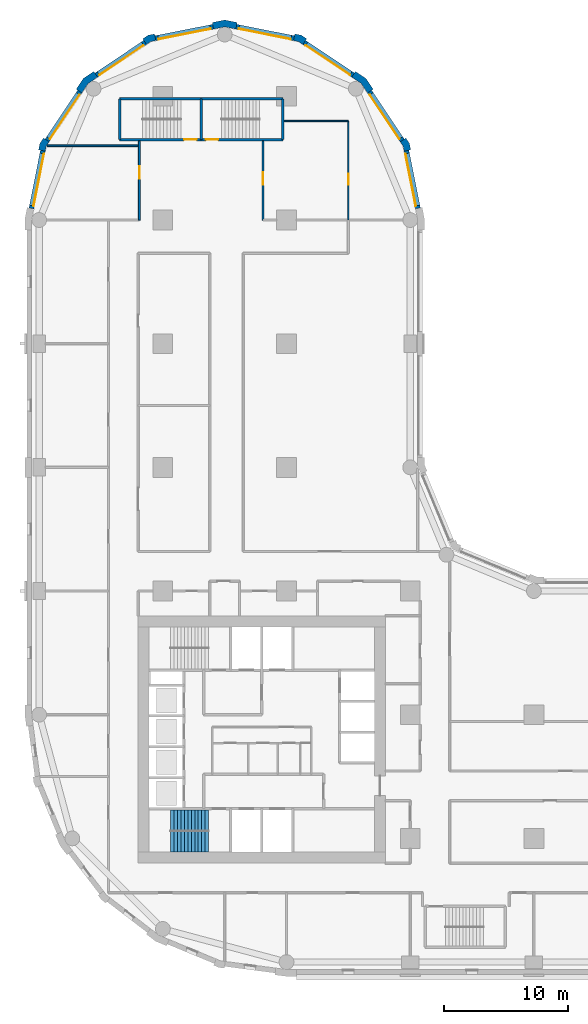
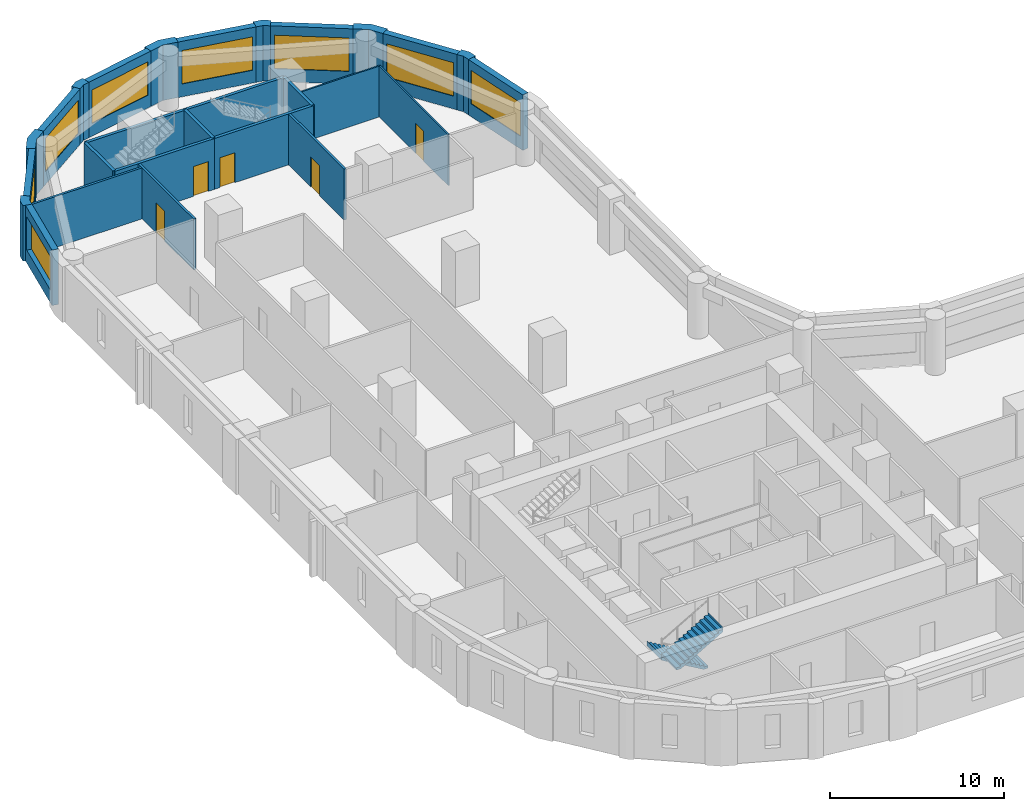
# One storey, part 8 of 11: 27 walls, 8 windows, 5 doors, 2 stair flights, 13 openings, 1 element without a shape of its own.
"""IFC4 building model written with IfcOpenShell, lengths in metres."""

import ifcopenshell
import ifcopenshell.guid

model = None  # the IFC model being written
_history = None  # IfcOwnerHistory: only IFC2X3 demands one
_inside = {}  # id of a spatial element -> (the spatial element, [elements in it])
_under = {}  # id of a project, library or spatial element -> (it, [spatial elements below it])
_declared = {}  # id of a project -> (the project, [libraries it declares])
_typed = {}  # id of a type object -> (the type object, [elements of that type])
_made_of = {}  # id of a material, layer set ... -> (it, [elements and type objects made of it])


def new_model(schema):
    """Start an empty IFC model of exactly this schema.

    Asked for "IFC4X3", IfcOpenShell would pick the latest addendum, in which some entities
    have other attributes; the version numbers below select the first issue.
    IFC2X3 requires an IfcOwnerHistory on every rooted entity: one is made here for all.
    """
    global model, _history
    if schema == "IFC4X3":
        model = ifcopenshell.file(schema_version=(4, 3, 0, 0))
    else:
        model = ifcopenshell.file(schema=schema)
    _inside.clear()
    _under.clear()
    _declared.clear()
    _typed.clear()
    _made_of.clear()
    _history = None
    if model.schema == "IFC2X3":
        org = make("IfcOrganization", Name="unknown")
        user = make(
            "IfcPersonAndOrganization",
            ThePerson=make("IfcPerson", FamilyName="unknown"),
            TheOrganization=org,
        )
        app = make(
            "IfcApplication",
            ApplicationDeveloper=org,
            Version="unknown",
            ApplicationFullName="unknown",
            ApplicationIdentifier="unknown",
        )
        _history = make(
            "IfcOwnerHistory",
            OwningUser=user,
            OwningApplication=app,
            ChangeAction="ADDED",
            CreationDate=0,
        )
    return model


def make(cls, **values):
    """One entity of the class cls with the attributes given. An attribute that is None is left unset."""
    return model.create_entity(
        cls, **{name: value for name, value in values.items() if value is not None}
    )


def rooted(cls, **values):
    """An entity with a GlobalId (a new one), such as an element, a storey or a relation."""
    return make(cls, GlobalId=ifcopenshell.guid.new(), OwnerHistory=_history, **values)


def si_unit(unit_type, name, prefix=None):
    """IfcSIUnit, for example si_unit("LENGTHUNIT", "METRE", prefix="MILLI")."""
    return make("IfcSIUnit", UnitType=unit_type, Prefix=prefix, Name=name)


def assignment(units):
    """IfcUnitAssignment: the units of a project."""
    return None if units is None else make("IfcUnitAssignment", Units=units)


def point(xyz):
    """IfcCartesianPoint."""
    return None if xyz is None else make("IfcCartesianPoint", Coordinates=xyz)


def direction(xyz):
    """IfcDirection."""
    return None if xyz is None else make("IfcDirection", DirectionRatios=xyz)


def frame(location, z_axis=None, x_axis=None):
    """IfcAxis2Placement3D, a coordinate frame: its origin and axes. An axis left out is left unset."""
    return make(
        "IfcAxis2Placement3D",
        Location=point(location),
        Axis=direction(z_axis),
        RefDirection=direction(x_axis),
    )


def frame_2d(location, x_axis=None):
    """IfcAxis2Placement2D, a coordinate frame in the plane: its origin and x axis."""
    return make(
        "IfcAxis2Placement2D", Location=point(location), RefDirection=direction(x_axis)
    )


def origin():
    """The frame at (0, 0, 0) with its axes left unset."""
    return frame((0.0, 0.0, 0.0))


def place(relative_to, where):
    """IfcLocalPlacement: puts the frame where relative to a parent placement (None: the world)."""
    return make(
        "IfcLocalPlacement", PlacementRelTo=relative_to, RelativePlacement=where
    )


def context(
    kind, dimensions, precision=None, world=None, true_north=None, identifier=None
):
    """IfcGeometricRepresentationContext, for example the 3D "Model" context."""
    return make(
        "IfcGeometricRepresentationContext",
        ContextIdentifier=identifier,
        ContextType=kind,
        CoordinateSpaceDimension=dimensions,
        Precision=precision,
        WorldCoordinateSystem=world,
        TrueNorth=true_north,
    )


def subcontext(parent, identifier, kind, view, scale=None):
    """IfcGeometricRepresentationSubContext, for example "Body" below "Model"."""
    return make(
        "IfcGeometricRepresentationSubContext",
        ContextIdentifier=identifier,
        ContextType=kind,
        ParentContext=parent,
        TargetScale=scale,
        TargetView=view,
    )


def project(units=None, contexts=None):
    """IfcProject with its units and contexts."""
    return rooted(
        "IfcProject",
        Name="project",
        RepresentationContexts=contexts,
        UnitsInContext=assignment(units),
    )


def spatial(cls, under=None, at=None, **own):
    """A site, building, storey or space (cls), placed at a placement, below another one or the project."""
    s = rooted(cls, ObjectPlacement=at, **own)
    if under is not None:
        _under.setdefault(under.id(), (under, []))[1].append(s)
    return s


def polyline(points):
    """IfcPolyline through the points."""
    return make("IfcPolyline", Points=[point(p) for p in points])


def profile(cls, at=None, kind="AREA", **sizes):
    """A parametric profile (cls). Its sizes go by their IFC names, for example OverallWidth=200.0."""
    return make(cls, ProfileType=kind, Position=at, **sizes)


def rectangle(**sizes):
    """IfcRectangleProfileDef."""
    return profile("IfcRectangleProfileDef", **sizes)


def outline(outer, holes=None, kind="AREA"):
    """IfcArbitraryClosedProfileDef: a profile drawn as a closed curve; with holes, ...WithVoids."""
    if holes is None:
        return make("IfcArbitraryClosedProfileDef", ProfileType=kind, OuterCurve=outer)
    return make(
        "IfcArbitraryProfileDefWithVoids",
        ProfileType=kind,
        OuterCurve=outer,
        InnerCurves=holes,
    )


def extrude(swept, where, along, depth):
    """IfcExtrudedAreaSolid: the profile swept, set in the frame where, extruded along a direction by depth."""
    return make(
        "IfcExtrudedAreaSolid",
        SweptArea=swept,
        Position=where,
        ExtrudedDirection=direction(along),
        Depth=depth,
    )


def shape(context_of_items, identifier, shape_type, items):
    """IfcShapeRepresentation: the items that make up one representation, for example the "Body"."""
    return make(
        "IfcShapeRepresentation",
        ContextOfItems=context_of_items,
        RepresentationIdentifier=identifier,
        RepresentationType=shape_type,
        Items=items,
    )


def material(Name=None, Category=None):
    """IfcMaterial."""
    return make("IfcMaterial", Name=Name, Category=Category)


def layer(
    of_material, thickness, ventilated=None, Name=None, Category=None, Priority=None
):
    """IfcMaterialLayer: one layer of a wall or slab, of a material (None: an air gap)."""
    return make(
        "IfcMaterialLayer",
        Material=of_material,
        LayerThickness=thickness,
        IsVentilated=ventilated,
        Name=Name,
        Category=Category,
        Priority=Priority,
    )


def layer_set(layers, Name=None):
    """IfcMaterialLayerSet."""
    return make("IfcMaterialLayerSet", MaterialLayers=layers, LayerSetName=Name)


def made_of(thing, what):
    """Note that an element or type object is made of a material, layer set ...; save() writes the relation."""
    if what is not None:
        _made_of.setdefault(what.id(), (what, []))[1].append(thing)
    return thing


def type_object(cls, material=None, **own):
    """A type object (cls), such as IfcWallType, which elements share."""
    return made_of(rooted(cls, **own), material)


def element(
    cls,
    number,
    at=None,
    inside=None,
    cuts=None,
    type_object=None,
    material=None,
    context=None,
    identifier="Body",
    shape_type=None,
    held_by="IfcProductDefinitionShape",
    body=None,
    shapes=None,
    **own,
):
    """One element of the class cls, such as IfcWall. Its Tag is "e" and its number.

    at: its placement. inside: the storey or other place that contains it. cuts: it is an
    opening in that element (IfcRelVoidsElement). A single representation is given by context,
    identifier, shape_type and body (its items); several are given by shapes. held_by: the class
    of the entity that holds the representations. save() writes the other relations.
    """
    e = rooted(cls, Tag="e%d" % number, ObjectPlacement=at, **own)
    if body is not None:
        shapes = [shape(context, identifier, shape_type, body)]
    if shapes is not None:
        e.Representation = make(held_by, Representations=shapes)
    if inside is not None:
        _inside.setdefault(inside.id(), (inside, []))[1].append(e)
    if cuts is not None:
        rooted(
            "IfcRelVoidsElement", RelatingBuildingElement=cuts, RelatedOpeningElement=e
        )
    if type_object is not None:
        _typed.setdefault(type_object.id(), (type_object, []))[1].append(e)
    return made_of(e, material)


def fill(opening, filler):
    """IfcRelFillsElement: the door or window that sits in an opening."""
    return rooted(
        "IfcRelFillsElement",
        RelatingOpeningElement=opening,
        RelatedBuildingElement=filler,
    )


def aggregate(whole, parts):
    """IfcRelAggregates: a whole, such as a stair, and the parts it consists of."""
    return rooted("IfcRelAggregates", RelatingObject=whole, RelatedObjects=parts)


def save(model, path):
    """Write the relations noted so far, then the file.

    IfcRelAggregates (storeys below a building ...), IfcRelContainedInSpatialStructure (elements
    in a storey), IfcRelDefinesByType, IfcRelAssociatesMaterial and IfcRelDeclares: one each for
    every whole, place, type object, material and project.
    """
    for whole, parts in _under.values():
        aggregate(whole, parts)
    for where, things in _inside.values():
        rooted(
            "IfcRelContainedInSpatialStructure",
            RelatedElements=things,
            RelatingStructure=where,
        )
    for kind, things in _typed.values():
        rooted("IfcRelDefinesByType", RelatedObjects=things, RelatingType=kind)
    for what, things in _made_of.values():
        rooted("IfcRelAssociatesMaterial", RelatedObjects=things, RelatingMaterial=what)
    for by, libraries in _declared.values():
        rooted("IfcRelDeclares", RelatingContext=by, RelatedDefinitions=libraries)
    model.write(path)


model = new_model("IFC4")

# Units and contexts
model_context = context("Model", 3, precision=1e-05, world=origin(), true_north=direction((0.0, 1.0)))
body_context = subcontext(model_context, "Body", "Model", "MODEL_VIEW")
ifc_project = project(units=[si_unit("LENGTHUNIT", "METRE"), si_unit("AREAUNIT", "SQUARE_METRE"), si_unit("VOLUMEUNIT", "CUBIC_METRE"), si_unit("PLANEANGLEUNIT", "RADIAN"), si_unit("MASSUNIT", "GRAM", prefix="KILO")], contexts=[model_context])

# Site, building, storey
site_placement = place(None, origin())
site = spatial("IfcSite", under=ifc_project, at=site_placement, CompositionType="ELEMENT")
building_placement = place(site_placement, origin())
building = spatial("IfcBuilding", under=site, at=building_placement, Name="Qaws Garden Tower", CompositionType="ELEMENT")
storey_placement = place(building_placement, frame((0.0, 0.0, 27.60009765625)))
storey = spatial("IfcBuildingStorey", under=building, at=storey_placement, Name="L06", CompositionType="ELEMENT", Elevation=27.60009765625)

# Wall, opening, window
ifc_material_1 = material(Name="Clay facing brick masonry", Category="masonry")
ifc_layer_1 = layer(ifc_material_1, 0.39990234375)
ifc_layer_set_1 = layer_set([ifc_layer_1], Name="Clay facing brick masonry")
wall_type_1 = type_object("IfcWallType", Name="Brick infill wall 400", PredefinedType="SOLIDWALL", material=ifc_layer_set_1)
wall_1_placement = place(storey_placement, frame((30.628662109375, 60.940673828125, 0.0), z_axis=(0.0, 0.0, 1.0), x_axis=(-0.195098533057, 0.98078364709, 0.0)))
wall_1 = element("IfcWall", 1, at=wall_1_placement, inside=storey, type_object=wall_type_1, Name="E-L06-infill-15", PredefinedType="SOLIDWALL", context=body_context, shape_type="SweptSolid", body=[
    extrude(rectangle(XDim=4.752685546875, YDim=0.39990234375, at=frame_2d((2.37646484375, 0.0))), origin(), (0.0, 0.0, 1.0), 3.89990234375),
])
opening_1_placement = place(wall_1_placement, frame((0.226318359375, 0.0, 0.89990234375)))
opening_1 = element("IfcOpeningElement", 2, at=opening_1_placement, cuts=wall_1, Name="Opening W06", PredefinedType="OPENING", context=body_context, shape_type="SweptSolid", body=[
    extrude(rectangle(XDim=4.300048828125, YDim=2.35009765625, at=frame_2d((2.14990234375, 1.175048828125))), frame((0.0, 0.2099609375, 0.0), z_axis=(0.0, -1.0, 0.0), x_axis=(1.0, 0.0, 0.0)), (0.0, 0.0, 1.0), 0.419921875),
])
ifc_material_2 = material(Name="Aluminium framed window, clear glazing", Category="aluminium")
window_type = type_object("IfcWindowType", Name="Ribbon window 4300 x 2350", PartitioningType="DOUBLE_PANEL_VERTICAL", PredefinedType="WINDOW", material=ifc_material_2)
window_1_placement = place(opening_1_placement, origin())
window_1 = element("IfcWindow", 3, at=window_1_placement, inside=storey, type_object=window_type, Name="E-L06-window-15-0", OverallHeight=2.35009765625, OverallWidth=4.300048828125, PartitioningType="SINGLE_PANEL", PredefinedType="WINDOW", context=body_context, shape_type="SweptSolid", body=[
    extrude(rectangle(XDim=4.300048828125, YDim=2.35009765625, at=frame_2d((2.14990234375, 1.175048828125))), frame((0.0, 0.159912109375, 0.0), z_axis=(0.0, -1.0, 0.0), x_axis=(1.0, 0.0, 0.0)), (0.0, 0.0, 1.0), 0.06005859375),
])
fill(opening_1, window_1)

wall_2_placement = place(storey_placement, frame((29.356689453125, 66.43408203125, 0.0), z_axis=(0.0, 0.0, 1.0), x_axis=(-0.555541552266, 0.831488775454, 0.0)))
wall_2 = element("IfcWall", 4, at=wall_2_placement, inside=storey, type_object=wall_type_1, Name="E-L06-infill-16", PredefinedType="SOLIDWALL", context=body_context, shape_type="SweptSolid", body=[
    extrude(rectangle(XDim=4.752685546875, YDim=0.39990234375, at=frame_2d((2.37646484375, 0.0))), origin(), (0.0, 0.0, 1.0), 3.89990234375),
])
opening_2_placement = place(wall_2_placement, frame((0.226318359375, 0.0, 0.89990234375)))
opening_2 = element("IfcOpeningElement", 5, at=opening_2_placement, cuts=wall_2, Name="Opening W06", PredefinedType="OPENING", context=body_context, shape_type="SweptSolid", body=[
    extrude(rectangle(XDim=4.300048828125, YDim=2.35009765625, at=frame_2d((2.14990234375, 1.175048828125))), frame((0.0, 0.2099609375, 0.0), z_axis=(0.0, -1.0, 0.0), x_axis=(1.0, 0.0, 0.0)), (0.0, 0.0, 1.0), 0.419921875),
])
window_2_placement = place(opening_2_placement, origin())
window_2 = element("IfcWindow", 6, at=window_2_placement, inside=storey, type_object=window_type, Name="E-L06-window-16-0", OverallHeight=2.35009765625, OverallWidth=4.300048828125, PartitioningType="SINGLE_PANEL", PredefinedType="WINDOW", context=body_context, shape_type="SweptSolid", body=[
    extrude(rectangle(XDim=4.300048828125, YDim=2.35009765625, at=frame_2d((2.14990234375, 1.175048828125))), frame((0.0, 0.159912109375, 0.0), z_axis=(0.0, -1.0, 0.0), x_axis=(1.0, 0.0, 0.0)), (0.0, 0.0, 1.0), 0.06005859375),
])
fill(opening_2, window_2)

wall_3_placement = place(storey_placement, frame((25.385986328125, 71.71630859375, 0.0), z_axis=(0.0, 0.0, 1.0), x_axis=(-0.831488775454, 0.555541552266, 0.0)))
wall_3 = element("IfcWall", 7, at=wall_3_placement, inside=storey, type_object=wall_type_1, Name="E-L06-infill-17", PredefinedType="SOLIDWALL", context=body_context, shape_type="SweptSolid", body=[
    extrude(rectangle(XDim=4.752685546875, YDim=0.39990234375, at=frame_2d((2.37646484375, 0.0))), origin(), (0.0, 0.0, 1.0), 3.89990234375),
])
opening_3_placement = place(wall_3_placement, frame((0.226318359375, 0.0, 0.89990234375)))
opening_3 = element("IfcOpeningElement", 8, at=opening_3_placement, cuts=wall_3, Name="Opening W06", PredefinedType="OPENING", context=body_context, shape_type="SweptSolid", body=[
    extrude(rectangle(XDim=4.300048828125, YDim=2.35009765625, at=frame_2d((2.14990234375, 1.175048828125))), frame((0.0, 0.2099609375, 0.0), z_axis=(0.0, -1.0, 0.0), x_axis=(1.0, 0.0, 0.0)), (0.0, 0.0, 1.0), 0.419921875),
])
window_3_placement = place(opening_3_placement, origin())
window_3 = element("IfcWindow", 9, at=window_3_placement, inside=storey, type_object=window_type, Name="E-L06-window-17-0", OverallHeight=2.35009765625, OverallWidth=4.300048828125, PartitioningType="SINGLE_PANEL", PredefinedType="WINDOW", context=body_context, shape_type="SweptSolid", body=[
    extrude(rectangle(XDim=4.300048828125, YDim=2.35009765625, at=frame_2d((2.14990234375, 1.175048828125))), frame((0.0, 0.159912109375, 0.0), z_axis=(0.0, -1.0, 0.0), x_axis=(1.0, 0.0, 0.0)), (0.0, 0.0, 1.0), 0.06005859375),
])
fill(opening_3, window_3)

wall_4_placement = place(storey_placement, frame((20.60205078125, 74.701416015625, 0.0), z_axis=(0.0, 0.0, 1.0), x_axis=(-0.98078364709, 0.195098533057, 0.0)))
wall_4 = element("IfcWall", 10, at=wall_4_placement, inside=storey, type_object=wall_type_1, Name="E-L06-infill-18", PredefinedType="SOLIDWALL", context=body_context, shape_type="SweptSolid", body=[
    extrude(rectangle(XDim=4.752685546875, YDim=0.39990234375, at=frame_2d((2.37646484375, 0.0))), origin(), (0.0, 0.0, 1.0), 3.89990234375),
])
opening_4_placement = place(wall_4_placement, frame((0.226318359375, 0.0, 0.89990234375)))
opening_4 = element("IfcOpeningElement", 11, at=opening_4_placement, cuts=wall_4, Name="Opening W06", PredefinedType="OPENING", context=body_context, shape_type="SweptSolid", body=[
    extrude(rectangle(XDim=4.300048828125, YDim=2.35009765625, at=frame_2d((2.14990234375, 1.175048828125))), frame((0.0, 0.2099609375, 0.0), z_axis=(0.0, -1.0, 0.0), x_axis=(1.0, 0.0, 0.0)), (0.0, 0.0, 1.0), 0.419921875),
])
window_4_placement = place(opening_4_placement, origin())
window_4 = element("IfcWindow", 12, at=window_4_placement, inside=storey, type_object=window_type, Name="E-L06-window-18-0", OverallHeight=2.35009765625, OverallWidth=4.300048828125, PartitioningType="SINGLE_PANEL", PredefinedType="WINDOW", context=body_context, shape_type="SweptSolid", body=[
    extrude(rectangle(XDim=4.300048828125, YDim=2.35009765625, at=frame_2d((2.14990234375, 1.175048828125))), frame((0.0, 0.159912109375, 0.0), z_axis=(0.0, -1.0, 0.0), x_axis=(1.0, 0.0, 0.0)), (0.0, 0.0, 1.0), 0.06005859375),
])
fill(opening_4, window_4)

wall_5_placement = place(storey_placement, frame((14.059326171875, 75.628662109375, 0.0), z_axis=(0.0, 0.0, 1.0), x_axis=(-0.98078364709, -0.195098533057, 0.0)))
wall_5 = element("IfcWall", 13, at=wall_5_placement, inside=storey, type_object=wall_type_1, Name="E-L06-infill-19", PredefinedType="SOLIDWALL", context=body_context, shape_type="SweptSolid", body=[
    extrude(rectangle(XDim=4.752685546875, YDim=0.39990234375, at=frame_2d((2.37646484375, 0.0))), origin(), (0.0, 0.0, 1.0), 3.89990234375),
])
opening_5_placement = place(wall_5_placement, frame((0.226318359375, 0.0, 0.89990234375)))
opening_5 = element("IfcOpeningElement", 14, at=opening_5_placement, cuts=wall_5, Name="Opening W06", PredefinedType="OPENING", context=body_context, shape_type="SweptSolid", body=[
    extrude(rectangle(XDim=4.300048828125, YDim=2.35009765625, at=frame_2d((2.14990234375, 1.175048828125))), frame((0.0, 0.2099609375, 0.0), z_axis=(0.0, -1.0, 0.0), x_axis=(1.0, 0.0, 0.0)), (0.0, 0.0, 1.0), 0.419921875),
])
window_5_placement = place(opening_5_placement, origin())
window_5 = element("IfcWindow", 15, at=window_5_placement, inside=storey, type_object=window_type, Name="E-L06-window-19-0", OverallHeight=2.35009765625, OverallWidth=4.300048828125, PartitioningType="SINGLE_PANEL", PredefinedType="WINDOW", context=body_context, shape_type="SweptSolid", body=[
    extrude(rectangle(XDim=4.300048828125, YDim=2.35009765625, at=frame_2d((2.14990234375, 1.175048828125))), frame((0.0, 0.159912109375, 0.0), z_axis=(0.0, -1.0, 0.0), x_axis=(1.0, 0.0, 0.0)), (0.0, 0.0, 1.0), 0.06005859375),
])
fill(opening_5, window_5)

wall_6_placement = place(storey_placement, frame((8.56591796875, 74.356689453125, 0.0), z_axis=(0.0, 0.0, 1.0), x_axis=(-0.831488775454, -0.555541552266, 0.0)))
wall_6 = element("IfcWall", 16, at=wall_6_placement, inside=storey, type_object=wall_type_1, Name="E-L06-infill-20", PredefinedType="SOLIDWALL", context=body_context, shape_type="SweptSolid", body=[
    extrude(rectangle(XDim=4.752685546875, YDim=0.39990234375, at=frame_2d((2.37646484375, 0.0))), origin(), (0.0, 0.0, 1.0), 3.89990234375),
])
opening_6_placement = place(wall_6_placement, frame((0.226318359375, 0.0, 0.89990234375)))
opening_6 = element("IfcOpeningElement", 17, at=opening_6_placement, cuts=wall_6, Name="Opening W06", PredefinedType="OPENING", context=body_context, shape_type="SweptSolid", body=[
    extrude(rectangle(XDim=4.300048828125, YDim=2.35009765625, at=frame_2d((2.14990234375, 1.175048828125))), frame((0.0, 0.2099609375, 0.0), z_axis=(0.0, -1.0, 0.0), x_axis=(1.0, 0.0, 0.0)), (0.0, 0.0, 1.0), 0.419921875),
])
window_6_placement = place(opening_6_placement, origin())
window_6 = element("IfcWindow", 18, at=window_6_placement, inside=storey, type_object=window_type, Name="E-L06-window-20-0", OverallHeight=2.35009765625, OverallWidth=4.300048828125, PartitioningType="SINGLE_PANEL", PredefinedType="WINDOW", context=body_context, shape_type="SweptSolid", body=[
    extrude(rectangle(XDim=4.300048828125, YDim=2.35009765625, at=frame_2d((2.14990234375, 1.175048828125))), frame((0.0, 0.159912109375, 0.0), z_axis=(0.0, -1.0, 0.0), x_axis=(1.0, 0.0, 0.0)), (0.0, 0.0, 1.0), 0.06005859375),
])
fill(opening_6, window_6)

wall_7_placement = place(storey_placement, frame((3.28369140625, 70.385986328125, 0.0), z_axis=(0.0, 0.0, 1.0), x_axis=(-0.555541552266, -0.831488775454, 0.0)))
wall_7 = element("IfcWall", 19, at=wall_7_placement, inside=storey, type_object=wall_type_1, Name="E-L06-infill-21", PredefinedType="SOLIDWALL", context=body_context, shape_type="SweptSolid", body=[
    extrude(rectangle(XDim=4.752685546875, YDim=0.39990234375, at=frame_2d((2.37646484375, 0.0))), origin(), (0.0, 0.0, 1.0), 3.89990234375),
])
opening_7_placement = place(wall_7_placement, frame((0.226318359375, 0.0, 0.89990234375)))
opening_7 = element("IfcOpeningElement", 20, at=opening_7_placement, cuts=wall_7, Name="Opening W06", PredefinedType="OPENING", context=body_context, shape_type="SweptSolid", body=[
    extrude(rectangle(XDim=4.300048828125, YDim=2.35009765625, at=frame_2d((2.14990234375, 1.175048828125))), frame((0.0, 0.2099609375, 0.0), z_axis=(0.0, -1.0, 0.0), x_axis=(1.0, 0.0, 0.0)), (0.0, 0.0, 1.0), 0.419921875),
])
window_7_placement = place(opening_7_placement, origin())
window_7 = element("IfcWindow", 21, at=window_7_placement, inside=storey, type_object=window_type, Name="E-L06-window-21-0", OverallHeight=2.35009765625, OverallWidth=4.300048828125, PartitioningType="SINGLE_PANEL", PredefinedType="WINDOW", context=body_context, shape_type="SweptSolid", body=[
    extrude(rectangle(XDim=4.300048828125, YDim=2.35009765625, at=frame_2d((2.14990234375, 1.175048828125))), frame((0.0, 0.159912109375, 0.0), z_axis=(0.0, -1.0, 0.0), x_axis=(1.0, 0.0, 0.0)), (0.0, 0.0, 1.0), 0.06005859375),
])
fill(opening_7, window_7)

wall_8_placement = place(storey_placement, frame((0.298583984375, 65.60205078125, 0.0), z_axis=(0.0, 0.0, 1.0), x_axis=(-0.195098533057, -0.98078364709, 0.0)))
wall_8 = element("IfcWall", 22, at=wall_8_placement, inside=storey, type_object=wall_type_1, Name="E-L06-infill-22", PredefinedType="SOLIDWALL", context=body_context, shape_type="SweptSolid", body=[
    extrude(rectangle(XDim=4.752685546875, YDim=0.39990234375, at=frame_2d((2.37646484375, 0.0))), origin(), (0.0, 0.0, 1.0), 3.89990234375),
])
opening_8_placement = place(wall_8_placement, frame((0.226318359375, 0.0, 0.89990234375)))
opening_8 = element("IfcOpeningElement", 23, at=opening_8_placement, cuts=wall_8, Name="Opening W06", PredefinedType="OPENING", context=body_context, shape_type="SweptSolid", body=[
    extrude(rectangle(XDim=4.300048828125, YDim=2.35009765625, at=frame_2d((2.14990234375, 1.175048828125))), frame((0.0, 0.2099609375, 0.0), z_axis=(0.0, -1.0, 0.0), x_axis=(1.0, 0.0, 0.0)), (0.0, 0.0, 1.0), 0.419921875),
])
window_8_placement = place(opening_8_placement, origin())
window_8 = element("IfcWindow", 24, at=window_8_placement, inside=storey, type_object=window_type, Name="E-L06-window-22-0", OverallHeight=2.35009765625, OverallWidth=4.300048828125, PartitioningType="SINGLE_PANEL", PredefinedType="WINDOW", context=body_context, shape_type="SweptSolid", body=[
    extrude(rectangle(XDim=4.300048828125, YDim=2.35009765625, at=frame_2d((2.14990234375, 1.175048828125))), frame((0.0, 0.159912109375, 0.0), z_axis=(0.0, -1.0, 0.0), x_axis=(1.0, 0.0, 0.0)), (0.0, 0.0, 1.0), 0.06005859375),
])
fill(opening_8, window_8)

# Walls
ifc_material_3 = material(Name="Clay facing brick masonry", Category="masonry")
ifc_layer_2 = layer(ifc_material_3, 0.550048828125)
ifc_layer_set_2 = layer_set([ifc_layer_2], Name="Clay facing brick masonry")
wall_type_2 = type_object("IfcWallType", Name="Brick kink pier 550 x 600", PredefinedType="SOLIDWALL", material=ifc_layer_set_2)
placement = place(storey_placement, origin())
element("IfcWall", 25, at=placement, inside=storey, type_object=wall_type_2, Name="E-L06-pier-16", PredefinedType="SOLIDWALL", context=body_context, shape_type="SweptSolid", body=[
    extrude(outline(polyline([(29.8974609375, 65.64111328125), (30.044677734375, 65.67041015625), (29.94140625, 66.18896484375), (29.647705078125, 66.628662109375), (29.52294921875, 66.545166015625), (29.1904296875, 66.322998046875), (29.42333984375, 65.974365234375), (29.505126953125, 65.56298828125), (29.8974609375, 65.64111328125)])), origin(), (0.0, 0.0, 1.0), 3.89990234375),
])
element("IfcWall", 26, at=placement, inside=storey, type_object=wall_type_2, Name="E-L06-pier-18", PredefinedType="SOLIDWALL", context=body_context, shape_type="SweptSolid", body=[
    extrude(outline(polyline([(21.545166015625, 74.52294921875), (21.628662109375, 74.647705078125), (21.18896484375, 74.94140625), (20.67041015625, 75.044677734375), (20.64111328125, 74.8974609375), (20.56298828125, 74.505126953125), (20.974365234375, 74.42333984375), (21.322998046875, 74.1904296875), (21.545166015625, 74.52294921875)])), origin(), (0.0, 0.0, 1.0), 3.89990234375),
])
element("IfcWall", 27, at=placement, inside=storey, type_object=wall_type_2, Name="E-L06-pier-20", PredefinedType="SOLIDWALL", context=body_context, shape_type="SweptSolid", body=[
    extrude(outline(polyline([(9.35888671875, 74.8974609375), (9.32958984375, 75.044677734375), (8.81103515625, 74.94140625), (8.371337890625, 74.647705078125), (8.454833984375, 74.52294921875), (8.677001953125, 74.1904296875), (9.025634765625, 74.42333984375), (9.43701171875, 74.505126953125), (9.35888671875, 74.8974609375)])), origin(), (0.0, 0.0, 1.0), 3.89990234375),
])
element("IfcWall", 28, at=placement, inside=storey, type_object=wall_type_2, Name="E-L06-pier-22", PredefinedType="SOLIDWALL", context=body_context, shape_type="SweptSolid", body=[
    extrude(outline(polyline([(0.47705078125, 66.545166015625), (0.352294921875, 66.628662109375), (0.05859375, 66.18896484375), (-0.044677734375, 65.67041015625), (0.1025390625, 65.64111328125), (0.494873046875, 65.56298828125), (0.57666015625, 65.974365234375), (0.8095703125, 66.322998046875), (0.47705078125, 66.545166015625)])), origin(), (0.0, 0.0, 1.0), 3.89990234375),
])
ifc_material_4 = material(Name="Clay facing brick masonry", Category="masonry")
ifc_layer_3 = layer(ifc_material_4, 0.550048828125)
ifc_layer_set_3 = layer_set([ifc_layer_3], Name="Clay facing brick masonry")
wall_type_3 = type_object("IfcWallType", Name="Brick pier 550 x 1600", PredefinedType="SOLIDWALL", material=ifc_layer_set_3)
element("IfcWall", 29, at=placement, inside=storey, type_object=wall_type_3, Name="E-L06-pier-17", PredefinedType="SOLIDWALL", context=body_context, shape_type="SweptSolid", body=[
    extrude(outline(polyline([(26.882568359375, 70.4970703125), (27.00732421875, 70.580322265625), (26.435791015625, 71.435791015625), (25.580322265625, 72.00732421875), (25.4970703125, 71.882568359375), (25.274658203125, 71.550048828125), (26.0390625, 71.0390625), (26.550048828125, 70.274658203125), (26.882568359375, 70.4970703125)])), origin(), (0.0, 0.0, 1.0), 3.89990234375),
])
element("IfcWall", 30, at=placement, inside=storey, type_object=wall_type_3, Name="E-L06-pier-19", PredefinedType="SOLIDWALL", context=body_context, shape_type="SweptSolid", body=[
    extrude(outline(polyline([(15.979736328125, 75.82470703125), (16.009033203125, 75.971923828125), (15.0, 76.172607421875), (13.990966796875, 75.971923828125), (14.020263671875, 75.82470703125), (14.098388671875, 75.432373046875), (15.0, 75.61181640625), (15.901611328125, 75.432373046875), (15.979736328125, 75.82470703125)])), origin(), (0.0, 0.0, 1.0), 3.89990234375),
])
element("IfcWall", 31, at=placement, inside=storey, type_object=wall_type_3, Name="E-L06-pier-21", PredefinedType="SOLIDWALL", context=body_context, shape_type="SweptSolid", body=[
    extrude(outline(polyline([(4.5029296875, 71.882568359375), (4.419677734375, 72.00732421875), (3.564208984375, 71.435791015625), (2.99267578125, 70.580322265625), (3.117431640625, 70.4970703125), (3.449951171875, 70.274658203125), (3.9609375, 71.0390625), (4.725341796875, 71.550048828125), (4.5029296875, 71.882568359375)])), origin(), (0.0, 0.0, 1.0), 3.89990234375),
])

# Wall, opening, door
ifc_material_5 = material(Name="Concrete C80", Category="concrete")
ifc_layer_4 = layer(ifc_material_5, 0.199951171875)
ifc_layer_set_4 = layer_set([ifc_layer_4], Name="Concrete C80")
wall_type_4 = type_object("IfcWallType", Name="Core shaft wall 200 C80", PredefinedType="SHEAR", material=ifc_layer_set_4)
wall_16_placement = place(storey_placement, frame((6.5, 66.5, 0.0), z_axis=(0.0, 0.0, 1.0), x_axis=(1.0, 0.0, 0.0)))
wall_16 = element("IfcWall", 32, at=wall_16_placement, inside=storey, type_object=wall_type_4, Name="Shaft wall", PredefinedType="SHEAR", context=body_context, shape_type="SweptSolid", body=[
    extrude(rectangle(XDim=6.60009765625, YDim=0.199951171875, at=frame_2d((3.300048828125, 0.0))), origin(), (0.0, 0.0, 1.0), 3.579833984375),
])
opening_9_placement = place(wall_16_placement, frame((5.22509765625, 0.0, 0.0)))
opening_9 = element("IfcOpeningElement", 33, at=opening_9_placement, cuts=wall_16, Name="Opening SD13", PredefinedType="OPENING", context=body_context, shape_type="SweptSolid", body=[
    extrude(rectangle(XDim=1.0, YDim=2.10009765625, at=frame_2d((0.5, 1.050048828125))), frame((0.0, 0.10986328125, 0.0), z_axis=(0.0, -1.0, 0.0), x_axis=(1.0, 0.0, 0.0)), (0.0, 0.0, 1.0), 0.219970703125),
])
ifc_material_6 = material(Name="Steel S235", Category="steel")
door_type_1 = type_object("IfcDoorType", Name="Stair door 1000x2100", OperationType="SINGLE_SWING_RIGHT", PredefinedType="DOOR", material=ifc_material_6)
door_1_placement = place(opening_9_placement, origin())
door_1 = element("IfcDoor", 34, at=door_1_placement, inside=storey, type_object=door_type_1, Name="Stair 6 door", OperationType="SINGLE_SWING_RIGHT", OverallHeight=2.10009765625, OverallWidth=1.0, PredefinedType="DOOR", context=body_context, shape_type="SweptSolid", body=[
    extrude(rectangle(XDim=1.0, YDim=2.10009765625, at=frame_2d((0.5, 1.050048828125))), frame((0.0, 0.02490234375, 0.0), z_axis=(0.0, -1.0, 0.0), x_axis=(1.0, 0.0, 0.0)), (0.0, 0.0, 1.0), 0.050048828125),
])
fill(opening_9, door_1)

wall_17_placement = place(storey_placement, frame((13.10009765625, 66.5, 0.0), z_axis=(0.0, 0.0, 1.0), x_axis=(1.0, 0.0, 0.0)))
wall_17 = element("IfcWall", 35, at=wall_17_placement, inside=storey, type_object=wall_type_4, Name="Shaft wall", PredefinedType="SHEAR", context=body_context, shape_type="SweptSolid", body=[
    extrude(rectangle(XDim=6.599853515625, YDim=0.199951171875, at=frame_2d((3.2998046875, 0.0))), origin(), (0.0, 0.0, 1.0), 3.579833984375),
])
opening_10_placement = place(wall_17_placement, frame((0.375, 0.0, 0.0)))
opening_10 = element("IfcOpeningElement", 36, at=opening_10_placement, cuts=wall_17, Name="Opening SD14", PredefinedType="OPENING", context=body_context, shape_type="SweptSolid", body=[
    extrude(rectangle(XDim=1.0, YDim=2.10009765625, at=frame_2d((0.5, 1.050048828125))), frame((0.0, 0.10986328125, 0.0), z_axis=(0.0, -1.0, 0.0), x_axis=(1.0, 0.0, 0.0)), (0.0, 0.0, 1.0), 0.219970703125),
])
door_2_placement = place(opening_10_placement, origin())
door_2 = element("IfcDoor", 37, at=door_2_placement, inside=storey, type_object=door_type_1, Name="Stair 7 door", OperationType="SINGLE_SWING_LEFT", OverallHeight=2.10009765625, OverallWidth=1.0, PredefinedType="DOOR", context=body_context, shape_type="SweptSolid", body=[
    extrude(rectangle(XDim=1.0, YDim=2.10009765625, at=frame_2d((0.5, 1.050048828125))), frame((0.0, 0.02490234375, 0.0), z_axis=(0.0, -1.0, 0.0), x_axis=(1.0, 0.0, 0.0)), (0.0, 0.0, 1.0), 0.050048828125),
])
fill(opening_10, door_2)

# Walls
wall_18_placement = place(storey_placement, frame((6.5, 69.800048828125, 0.0), z_axis=(0.0, 0.0, 1.0), x_axis=(1.0, 0.0, 0.0)))
element("IfcWall", 38, at=wall_18_placement, inside=storey, type_object=wall_type_4, Name="Shaft wall", PredefinedType="SHEAR", context=body_context, shape_type="SweptSolid", body=[
    extrude(rectangle(XDim=6.60009765625, YDim=0.199951171875, at=frame_2d((3.300048828125, 0.0))), origin(), (0.0, 0.0, 1.0), 3.579833984375),
])
wall_19_placement = place(storey_placement, frame((13.10009765625, 69.800048828125, 0.0), z_axis=(0.0, 0.0, 1.0), x_axis=(1.0, 0.0, 0.0)))
element("IfcWall", 39, at=wall_19_placement, inside=storey, type_object=wall_type_4, Name="Shaft wall", PredefinedType="SHEAR", context=body_context, shape_type="SweptSolid", body=[
    extrude(rectangle(XDim=6.599853515625, YDim=0.199951171875, at=frame_2d((3.2998046875, 0.0))), origin(), (0.0, 0.0, 1.0), 3.579833984375),
])
for number, where, z_axis, x_axis, name in (
    (40, (6.5, 66.5, 0.0), (0.0, 0.0, 1.0), (0.0, 1.0, 0.0), "Shaft wall"),
    (41, (13.10009765625, 66.5, 0.0), (0.0, 0.0, 1.0), (0.0, 1.0, 0.0), "Shaft wall"),
    (42, (19.699951171875, 66.5, 0.0), (0.0, 0.0, 1.0), (0.0, 1.0, 0.0), "Shaft wall"),
):
    element("IfcWall", number, at=place(storey_placement, frame(where, z_axis=z_axis, x_axis=x_axis)), inside=storey, type_object=wall_type_4, Name=name, PredefinedType="SHEAR", context=body_context, shape_type="SweptSolid", body=[
        extrude(rectangle(XDim=3.300048828125, YDim=0.199951171875, at=frame_2d((1.64990234375, 0.0))), origin(), (0.0, 0.0, 1.0), 3.579833984375),
    ])

# Wall, opening, door
ifc_material_7 = material(Name="Gypsum board partition")
ifc_layer_5 = layer(ifc_material_7, 0.10009765625)
ifc_layer_set_5 = layer_set([ifc_layer_5], Name="Gypsum board partition")
wall_type_5 = type_object("IfcWallType", Name="PARTITION 100", PredefinedType="PARTITIONING", material=ifc_layer_set_5)
wall_20_placement = place(storey_placement, frame((25.0, 60.0, 0.0), z_axis=(0.0, 0.0, 1.0), x_axis=(0.0, 1.0, 0.0)))
wall_20 = element("IfcWall", 43, at=wall_20_placement, inside=storey, type_object=wall_type_5, Name="O-L06-wall-001", PredefinedType="PARTITIONING", context=body_context, shape_type="SweptSolid", body=[
    extrude(rectangle(XDim=8.0, YDim=0.10009765625, at=frame_2d((4.0, 0.0))), origin(), (0.0, 0.0, 1.0), 3.579833984375),
])
opening_11_placement = place(wall_20_placement, frame((2.85009765625, 0.0, 0.0)))
opening_11 = element("IfcOpeningElement", 44, at=opening_11_placement, cuts=wall_20, Name="Opening A231", PredefinedType="OPENING", context=body_context, shape_type="SweptSolid", body=[
    extrude(rectangle(XDim=0.89990234375, YDim=2.10009765625, at=frame_2d((0.449951171875, 1.050048828125))), frame((0.0, 0.06005859375, 0.0), z_axis=(0.0, -1.0, 0.0), x_axis=(1.0, 0.0, 0.0)), (0.0, 0.0, 1.0), 0.1201171875),
])
ifc_material_8 = material(Name="Timber door leaf", Category="wood")
door_type_2 = type_object("IfcDoorType", Name="OFFICE DOOR 900 X 2100", OperationType="SINGLE_SWING_LEFT", PredefinedType="DOOR", material=ifc_material_8)
door_3_placement = place(opening_11_placement, origin())
door_3 = element("IfcDoor", 45, at=door_3_placement, inside=storey, type_object=door_type_2, Name="O-L06-door-031", OperationType="SINGLE_SWING_LEFT", OverallHeight=2.10009765625, OverallWidth=0.89990234375, PredefinedType="DOOR", context=body_context, shape_type="SweptSolid", body=[
    extrude(rectangle(XDim=0.89990234375, YDim=2.10009765625, at=frame_2d((0.449951171875, 1.050048828125))), frame((0.0, 0.02490234375, 0.0), z_axis=(0.0, -1.0, 0.0), x_axis=(1.0, 0.0, 0.0)), (0.0, 0.0, 1.0), 0.050048828125),
])
fill(opening_11, door_3)

# Wall
wall_21_placement = place(storey_placement, frame((19.800048828125, 68.0, 0.0), z_axis=(0.0, 0.0, 1.0), x_axis=(1.0, 0.0, 0.0)))
element("IfcWall", 46, at=wall_21_placement, inside=storey, type_object=wall_type_5, Name="O-L06-wall-004", PredefinedType="PARTITIONING", context=body_context, shape_type="SweptSolid", body=[
    extrude(rectangle(XDim=5.199951171875, YDim=0.10009765625, at=frame_2d((2.60009765625, 0.0))), origin(), (0.0, 0.0, 1.0), 3.579833984375),
])

# Wall, opening, door
ifc_material_9 = material(Name="Gypsum board partition")
ifc_layer_6 = layer(ifc_material_9, 0.14990234375)
ifc_layer_set_6 = layer_set([ifc_layer_6], Name="Gypsum board partition")
wall_type_6 = type_object("IfcWallType", Name="PARTITION 150 EI 60", PredefinedType="PARTITIONING", material=ifc_layer_set_6)
wall_22_placement = place(storey_placement, frame((8.10009765625, 60.0, 0.0), z_axis=(0.0, 0.0, 1.0), x_axis=(0.0, 1.0, 0.0)))
wall_22 = element("IfcWall", 47, at=wall_22_placement, inside=storey, type_object=wall_type_6, Name="O-L06-wall-008", PredefinedType="PARTITIONING", context=body_context, shape_type="SweptSolid", body=[
    extrude(rectangle(XDim=6.39990234375, YDim=0.14990234375, at=frame_2d((3.199951171875, 0.0))), origin(), (0.0, 0.0, 1.0), 3.579833984375),
])
opening_12_placement = place(wall_22_placement, frame((3.35009765625, 0.0, 0.0)))
opening_12 = element("IfcOpeningElement", 48, at=opening_12_placement, cuts=wall_22, Name="Opening A220", PredefinedType="OPENING", context=body_context, shape_type="SweptSolid", body=[
    extrude(rectangle(XDim=1.0, YDim=2.10009765625, at=frame_2d((0.5, 1.050048828125))), frame((0.0, 0.0849609375, 0.0), z_axis=(0.0, -1.0, 0.0), x_axis=(1.0, 0.0, 0.0)), (0.0, 0.0, 1.0), 0.169921875),
])
ifc_material_10 = material(Name="Timber door leaf", Category="wood")
door_type_3 = type_object("IfcDoorType", Name="TENANCY ENTRANCE DOOR 1000 X 2100", OperationType="SINGLE_SWING_LEFT", PredefinedType="DOOR", material=ifc_material_10)
door_4_placement = place(opening_12_placement, origin())
door_4 = element("IfcDoor", 49, at=door_4_placement, inside=storey, type_object=door_type_3, Name="O-L06-door-020", OperationType="SINGLE_SWING_LEFT", OverallHeight=2.10009765625, OverallWidth=1.0, PredefinedType="DOOR", context=body_context, shape_type="SweptSolid", body=[
    extrude(rectangle(XDim=1.0, YDim=2.10009765625, at=frame_2d((0.5, 1.050048828125))), frame((0.0, 0.02490234375, 0.0), z_axis=(0.0, -1.0, 0.0), x_axis=(1.0, 0.0, 0.0)), (0.0, 0.0, 1.0), 0.050048828125),
])
fill(opening_12, door_4)

wall_23_placement = place(storey_placement, frame((18.10009765625, 60.0, 0.0), z_axis=(0.0, 0.0, 1.0), x_axis=(0.0, 1.0, 0.0)))
wall_23 = element("IfcWall", 50, at=wall_23_placement, inside=storey, type_object=wall_type_6, Name="O-L06-wall-014", PredefinedType="PARTITIONING", context=body_context, shape_type="SweptSolid", body=[
    extrude(rectangle(XDim=6.39990234375, YDim=0.14990234375, at=frame_2d((3.199951171875, 0.0))), origin(), (0.0, 0.0, 1.0), 3.579833984375),
])
opening_13_placement = place(wall_23_placement, frame((2.85009765625, 0.0, 0.0)))
opening_13 = element("IfcOpeningElement", 51, at=opening_13_placement, cuts=wall_23, Name="Opening A221", PredefinedType="OPENING", context=body_context, shape_type="SweptSolid", body=[
    extrude(rectangle(XDim=1.0, YDim=2.10009765625, at=frame_2d((0.5, 1.050048828125))), frame((0.0, 0.0849609375, 0.0), z_axis=(0.0, -1.0, 0.0), x_axis=(1.0, 0.0, 0.0)), (0.0, 0.0, 1.0), 0.169921875),
])
door_5_placement = place(opening_13_placement, frame((1.0, 0.0, 0.0), z_axis=(0.0, 0.0, 1.0), x_axis=(-1.0, 0.0, 0.0)))
door_5 = element("IfcDoor", 52, at=door_5_placement, inside=storey, type_object=door_type_3, Name="O-L06-door-021", OperationType="SINGLE_SWING_RIGHT", OverallHeight=2.10009765625, OverallWidth=1.0, PredefinedType="DOOR", context=body_context, shape_type="SweptSolid", body=[
    extrude(rectangle(XDim=1.0, YDim=2.10009765625, at=frame_2d((0.5, 1.050048828125))), frame((0.0, 0.02490234375, 0.0), z_axis=(0.0, -1.0, 0.0), x_axis=(1.0, 0.0, 0.0)), (0.0, 0.0, 1.0), 0.050048828125),
])
fill(opening_13, door_5)

# Wall
wall_24_placement = place(storey_placement, frame((0.643798828125, 66.0, 0.0), z_axis=(0.0, 0.0, 1.0), x_axis=(1.0, 0.0, 0.0)))
element("IfcWall", 53, at=wall_24_placement, inside=storey, type_object=wall_type_6, Name="O-L06-wall-068", PredefinedType="PARTITIONING", context=body_context, shape_type="SweptSolid", body=[
    extrude(rectangle(XDim=7.456298828125, YDim=0.14990234375, at=frame_2d((3.72802734375, 0.0))), origin(), (0.0, 0.0, 1.0), 3.579833984375),
])

# Stair, stair flights
ifc_material_11 = material(Name="Concrete C40", Category="concrete")
stair_type = type_object("IfcStairType", Name="Exit stair 1500", PredefinedType="HALF_TURN_STAIR", material=ifc_material_11)
stair = element("IfcStair", 54, at=placement, inside=storey, type_object=stair_type, Name="Stair 1", PredefinedType="HALF_TURN_STAIR")
ifc_material_12 = material(Name="Concrete C40", Category="concrete")
stair_flight_type = type_object("IfcStairFlightType", Name="Stair flight 1500", PredefinedType="STRAIGHT", material=ifc_material_12)
stair_flight_1_placement = place(storey_placement, frame((13.699951171875, 11.449951171875, 0.0), z_axis=(0.0, 0.0, 1.0), x_axis=(-1.0, 0.0, 0.0)))
stair_flight_1 = element("IfcStairFlight", 55, at=stair_flight_1_placement, type_object=stair_flight_type, Name="ST1 flight 1", NumberOfRisers=12, NumberOfTreads=11, PredefinedType="STRAIGHT", RiserHeight=0.1625, TreadLength=0.28, context=body_context, shape_type="SweptSolid", body=[
    extrude(outline(polyline([(-0.0029296875, 0.0), (-0.0029296875, 0.16259765625), (0.0, 0.16259765625), (0.280029296875, 0.16259765625), (0.280029296875, 0.324951171875), (0.56005859375, 0.324951171875), (0.56005859375, 0.487548828125), (0.840087890625, 0.487548828125), (0.840087890625, 0.64990234375), (1.1201171875, 0.64990234375), (1.1201171875, 0.8125), (1.39990234375, 0.8125), (1.39990234375, 0.97509765625), (1.679931640625, 0.97509765625), (1.679931640625, 1.137451171875), (1.9599609375, 1.137451171875), (1.9599609375, 1.300048828125), (2.239990234375, 1.300048828125), (2.239990234375, 1.46240234375), (2.52001953125, 1.46240234375), (2.52001953125, 1.625), (2.800048828125, 1.625), (2.800048828125, 1.78759765625), (3.080078125, 1.78759765625), (3.080078125, 1.949951171875), (3.0830078125, 1.949951171875), (3.0830078125, 1.6142578125), (3.080078125, 1.6142578125), (0.298583984375, 0.0), (-0.0029296875, 0.0)])), frame((0.0, 0.85009765625, 0.0), z_axis=(0.0, -1.0, 0.0), x_axis=(1.0, 0.0, 0.0)), (0.0, 0.0, 1.0), 1.699951171875),
])
stair_flight_2_placement = place(storey_placement, frame((10.6201171875, 9.75, 1.949951171875), z_axis=(0.0, 0.0, 1.0), x_axis=(1.0, 0.0, 0.0)))
stair_flight_2 = element("IfcStairFlight", 56, at=stair_flight_2_placement, type_object=stair_flight_type, Name="ST1 flight 2", NumberOfRisers=12, NumberOfTreads=11, PredefinedType="STRAIGHT", RiserHeight=0.1625, TreadLength=0.28, context=body_context, shape_type="SweptSolid", body=[
    extrude(outline(polyline([(-0.0029296875, 0.0), (-0.0029296875, 0.16259765625), (0.0, 0.16259765625), (0.280029296875, 0.16259765625), (0.280029296875, 0.324951171875), (0.56005859375, 0.324951171875), (0.56005859375, 0.487548828125), (0.840087890625, 0.487548828125), (0.840087890625, 0.64990234375), (1.1201171875, 0.64990234375), (1.1201171875, 0.8125), (1.39990234375, 0.8125), (1.39990234375, 0.97509765625), (1.679931640625, 0.97509765625), (1.679931640625, 1.137451171875), (1.9599609375, 1.137451171875), (1.9599609375, 1.300048828125), (2.239990234375, 1.300048828125), (2.239990234375, 1.46240234375), (2.52001953125, 1.46240234375), (2.52001953125, 1.625), (2.800048828125, 1.625), (2.800048828125, 1.78759765625), (3.080078125, 1.78759765625), (3.080078125, 1.949951171875), (3.0830078125, 1.949951171875), (3.0830078125, 1.6142578125), (3.080078125, 1.6142578125), (0.298583984375, 0.0), (-0.0029296875, 0.0)])), frame((0.0, 0.85009765625, 0.0), z_axis=(0.0, -1.0, 0.0), x_axis=(1.0, 0.0, 0.0)), (0.0, 0.0, 1.0), 1.699951171875),
])
aggregate(stair, [stair_flight_1, stair_flight_2])

save(model, "model.ifc")
